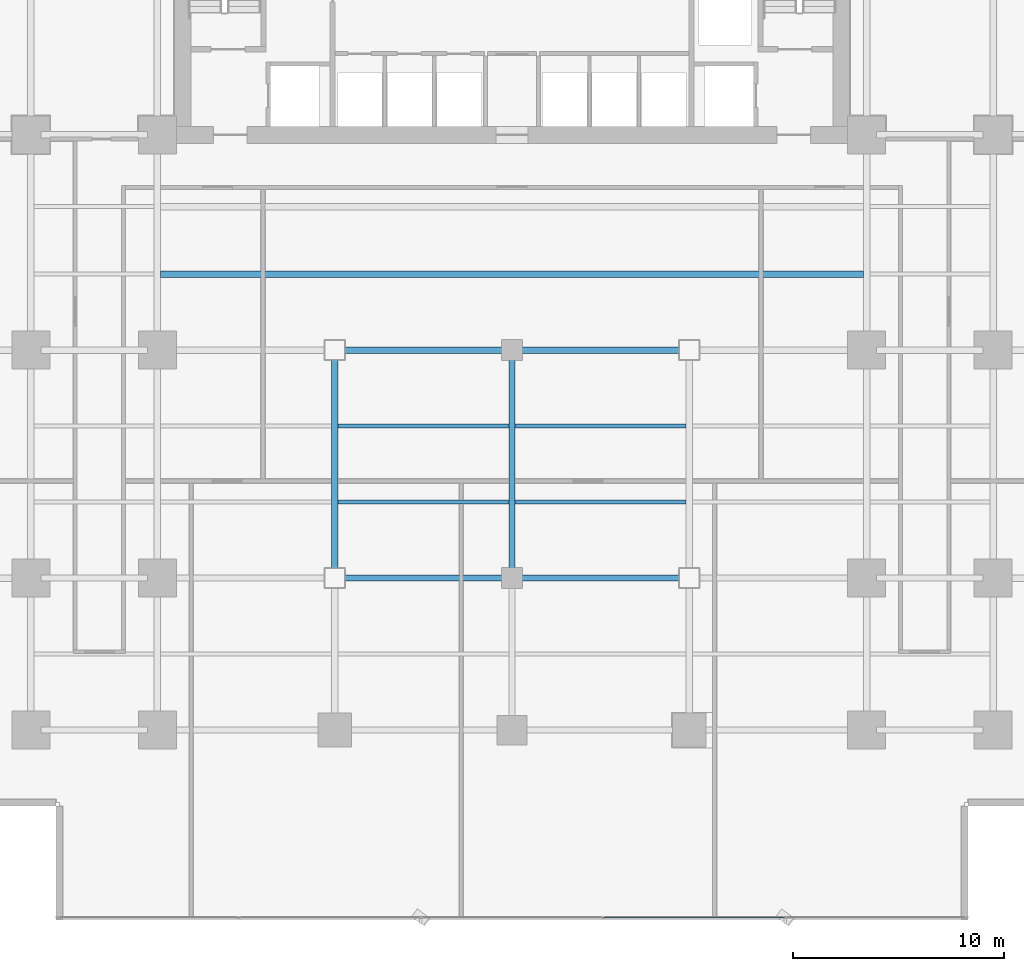
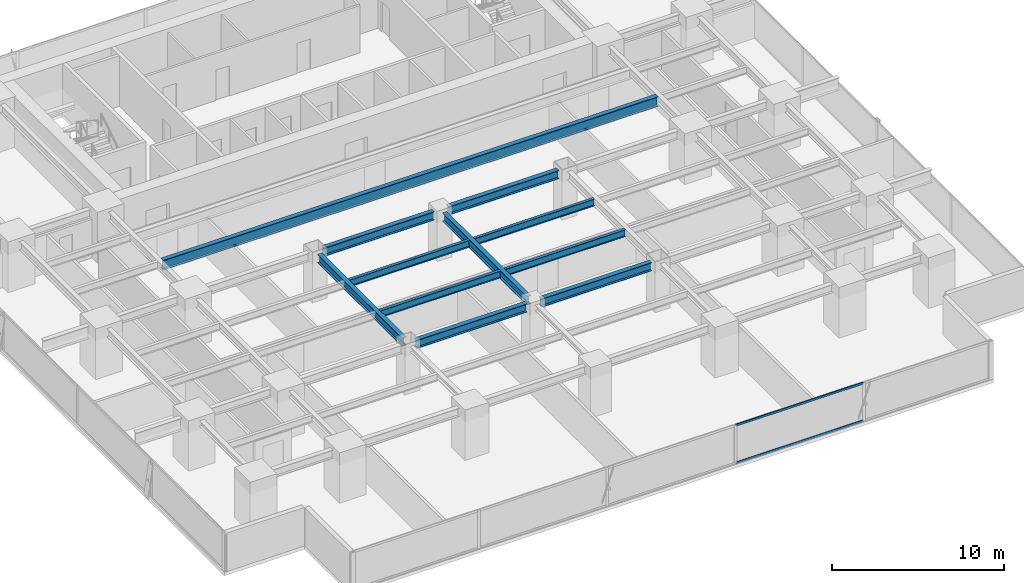
# One storey, part 10 of 33: 11 beams, 2 members, 1 element without a shape of its own.
"""IFC4 building model written with IfcOpenShell, lengths in metres."""

from ifc_helpers import new_model, si_unit, direction, frame, origin, origin_2d, place, context, subcontext, project, spatial, hollow_rectangle, i_section, extrude, source, transform, mapped, material, layer, layer_set, material_profile, profile_set, type_object, element, aggregate, save


model = new_model("IFC4")

# Units and contexts
model_context = context("Model", 3, precision=1e-05, world=origin(), true_north=direction((0.0, 1.0)))
body_context = subcontext(model_context, "Body", "Model", "MODEL_VIEW")
ifc_project = project(units=[si_unit("LENGTHUNIT", "METRE"), si_unit("AREAUNIT", "SQUARE_METRE"), si_unit("VOLUMEUNIT", "CUBIC_METRE"), si_unit("PLANEANGLEUNIT", "RADIAN"), si_unit("MASSUNIT", "GRAM", prefix="KILO")], contexts=[model_context])

# Site, building, storey
site_placement = place(None, origin())
site = spatial("IfcSite", under=ifc_project, at=site_placement, CompositionType="ELEMENT")
building_placement = place(site_placement, origin())
building = spatial("IfcBuilding", under=site, at=building_placement, Name="Sumidabori Civic Tower", CompositionType="ELEMENT")
storey_placement = place(building_placement, frame((0.0, 0.0, 63.199951171875)))
storey = spatial("IfcBuildingStorey", under=building, at=storey_placement, Name="L16", CompositionType="ELEMENT", Elevation=63.199951171875)

# Beams
ifc_material_1 = material(Name="Steel SN490", Category="steel")
ifc_material_profile_1 = material_profile(ifc_material_1, i_section(OverallWidth=0.300048828125, OverallDepth=0.60009765625, WebThickness=0.015380859375, FlangeThickness=0.030029296875, at=origin_2d()), Name="HE 600 B")
ifc_profile_set_1 = profile_set([ifc_material_profile_1], Name="Steel SN490")
beam_type_1 = type_object("IfcBeamType", Name="BM-GIRD-600", PredefinedType="BEAM", material=ifc_profile_set_1)
shared_shape_1 = source(origin(), body_context, "Body", "SweptSolid", [
    extrude(i_section(OverallWidth=0.300048828125, OverallDepth=0.60009765625, WebThickness=0.015380859375, FlangeThickness=0.030029296875, at=origin_2d()), origin(), (0.0, 0.0, 1.0), 7.43994140625),
])
for number, where, z_axis, x_axis, name in (
    (1, (-7.919921875, -10.800048828125, 3.06005859375), (1.0, 0.0, 0.0), (0.0, 1.0, 0.0), "Primary Girder L16 GX-09"),
    (2, (0.47998046875, -10.800048828125, 3.06005859375), (1.0, 0.0, 0.0), (0.0, 1.0, 0.0), "Primary Girder L16 GX-10"),
    (3, (-7.919921875, 0.0, 3.06005859375), (1.0, 0.0, 0.0), (0.0, 1.0, 0.0), "Primary Girder L16 GX-15"),
    (4, (0.47998046875, 0.0, 3.06005859375), (1.0, 0.0, 0.0), (0.0, 1.0, 0.0), "Primary Girder L16 GX-16"),
):
    element("IfcBeam", number, at=place(storey_placement, frame(where, z_axis=z_axis, x_axis=x_axis)), inside=storey, type_object=beam_type_1, Name=name, PredefinedType="BEAM", context=body_context, shape_type="MappedRepresentation", body=[
        mapped(shared_shape_1, transform((0.0, 0.0, 0.0), x_axis=(1.0, 0.0, 0.0), y_axis=(0.0, 1.0, 0.0), z_axis=(0.0, 0.0, 1.0), scale=1.0)),
    ])
shared_shape_2 = source(origin(), body_context, "Body", "SweptSolid", [
    extrude(i_section(OverallWidth=0.300048828125, OverallDepth=0.60009765625, WebThickness=0.015380859375, FlangeThickness=0.030029296875, at=origin_2d()), origin(), (0.0, 0.0, 1.0), 9.840087890625),
])
for number, where, z_axis, x_axis, name in (
    (5, (-8.39990234375, -10.320068359375, 3.06005859375), (0.0, 1.0, 0.0), (-1.0, 0.0, 0.0), "Primary Girder L16 GY-30"),
    (6, (0.0, -10.320068359375, 3.06005859375), (0.0, 1.0, 0.0), (-1.0, 0.0, 0.0), "Primary Girder L16 GY-32"),
):
    element("IfcBeam", number, at=place(storey_placement, frame(where, z_axis=z_axis, x_axis=x_axis)), inside=storey, type_object=beam_type_1, Name=name, PredefinedType="BEAM", context=body_context, shape_type="MappedRepresentation", body=[
        mapped(shared_shape_2, transform((0.0, 0.0, 0.0), x_axis=(1.0, 0.0, 0.0), y_axis=(0.0, 1.0, 0.0), z_axis=(0.0, 0.0, 1.0), scale=1.0)),
    ])
ifc_material_profile_2 = material_profile(ifc_material_1, i_section(OverallWidth=0.300048828125, OverallDepth=0.699951171875, WebThickness=0.01708984375, FlangeThickness=0.031982421875, at=origin_2d()), Name="HE 700 B")
ifc_profile_set_2 = profile_set([ifc_material_profile_2], Name="Steel SN490")
beam_type_2 = type_object("IfcBeamType", Name="BM-GIRD-700", PredefinedType="BEAM", material=ifc_profile_set_2)
shared_shape_3 = source(origin(), body_context, "Body", "SweptSolid", [
    extrude(i_section(OverallWidth=0.300048828125, OverallDepth=0.699951171875, WebThickness=0.01708984375, FlangeThickness=0.031982421875, at=origin_2d()), origin(), (0.0, 0.0, 1.0), 33.2998046875),
])
beam_placement = place(storey_placement, frame((-16.64990234375, 3.60009765625, 3.010009765625), z_axis=(1.0, 0.0, 0.0), x_axis=(0.0, 1.0, 0.0)))
element("IfcBeam", 7, at=beam_placement, inside=storey, type_object=beam_type_2, Name="North Bay Floor Beam L16 JSTN-59", PredefinedType="BEAM", context=body_context, shape_type="MappedRepresentation", body=[
    mapped(shared_shape_3, transform((0.0, 0.0, 0.0), x_axis=(1.0, 0.0, 0.0), y_axis=(0.0, 1.0, 0.0), z_axis=(0.0, 0.0, 1.0), scale=1.0)),
])
ifc_material_profile_3 = material_profile(ifc_material_1, i_section(OverallWidth=0.199951171875, OverallDepth=0.5, WebThickness=0.01025390625, FlangeThickness=0.01611328125, at=origin_2d()), Name="IPE 500")
ifc_profile_set_3 = profile_set([ifc_material_profile_3], Name="Steel SN490")
beam_type_3 = type_object("IfcBeamType", Name="BM-JST-500", PredefinedType="JOIST", material=ifc_profile_set_3)
shared_shape_4 = source(origin(), body_context, "Body", "SweptSolid", [
    extrude(i_section(OverallWidth=0.199951171875, OverallDepth=0.5, WebThickness=0.01025390625, FlangeThickness=0.01611328125, at=origin_2d()), origin(), (0.0, 0.0, 1.0), 8.10009765625),
])
for number, where, z_axis, x_axis, name in (
    (8, (-8.25, -7.199951171875, 3.110107421875), (1.0, 0.0, 0.0), (0.0, 1.0, 0.0), "South Bay Floor Joist L16 JSTS-66"),
    (9, (0.14990234375, -7.199951171875, 3.110107421875), (1.0, 0.0, 0.0), (0.0, 1.0, 0.0), "South Bay Floor Joist L16 JSTS-67"),
    (10, (-8.25, -3.60009765625, 3.110107421875), (1.0, 0.0, 0.0), (0.0, 1.0, 0.0), "South Bay Floor Joist L16 JSTS-70"),
    (11, (0.14990234375, -3.60009765625, 3.110107421875), (1.0, 0.0, 0.0), (0.0, 1.0, 0.0), "South Bay Floor Joist L16 JSTS-71"),
):
    element("IfcBeam", number, at=place(storey_placement, frame(where, z_axis=z_axis, x_axis=x_axis)), inside=storey, type_object=beam_type_3, Name=name, PredefinedType="JOIST", context=body_context, shape_type="MappedRepresentation", body=[
        mapped(shared_shape_4, transform((0.0, 0.0, 0.0), x_axis=(1.0, 0.0, 0.0), y_axis=(0.0, 1.0, 0.0), z_axis=(0.0, 0.0, 1.0), scale=1.0)),
    ])

# Curtain wall, members
ifc_material_2 = material(Name="Anodised Bronze Aluminium AW-6063-T6", Category="aluminium")
ifc_layer = layer(ifc_material_2, 0.179931640625, Name="Anodised Bronze Aluminium AW-6063-T6")
ifc_layer_set = layer_set([ifc_layer], Name="Anodised Bronze Aluminium AW-6063-T6")
curtain_wall_type = type_object("IfcCurtainWallType", Name="CW-SYS-2", PredefinedType="NOTDEFINED", material=ifc_layer_set)
curtain_wall_placement = place(storey_placement, origin())
curtain_wall = element("IfcCurtainWall", 12, at=curtain_wall_placement, inside=storey, type_object=curtain_wall_type, Name="Curtain Wall CW:L16:R01", PredefinedType="NOTDEFINED")
ifc_material_profile_4 = material_profile(ifc_material_2, hollow_rectangle(XDim=0.06494140625, YDim=0.14990234375, WallThickness=0.0048828125, at=origin_2d()), Name="ALU TRANSOM 150x65")
ifc_profile_set_4 = profile_set([ifc_material_profile_4], Name="Anodised Bronze Aluminium AW-6063-T6")
member_type = type_object("IfcMemberType", Name="CW-TRN-150", PredefinedType="USERDEFINED", material=ifc_profile_set_4)
shared_shape_5 = source(origin(), body_context, "Body", "SweptSolid", [
    extrude(hollow_rectangle(XDim=0.06494140625, YDim=0.14990234375, WallThickness=0.0048828125, at=origin_2d()), origin(), (0.0, 0.0, 1.0), 8.557861328125),
])
member_1_placement = place(storey_placement, frame((4.34912109375, -26.8798828125, 0.032470703125), z_axis=(1.0, 0.0, 0.0), x_axis=(0.0, 1.0, 0.0)))
member_1 = element("IfcMember", 13, at=member_1_placement, type_object=member_type, Name="CW-2 transom 4.1", ObjectType="TRANSOM", PredefinedType="USERDEFINED", context=body_context, shape_type="MappedRepresentation", body=[
    mapped(shared_shape_5, transform((0.0, 0.0, 0.0), x_axis=(1.0, 0.0, 0.0), y_axis=(0.0, 1.0, 0.0), z_axis=(0.0, 0.0, 1.0), scale=1.0)),
])
member_2_placement = place(storey_placement, frame((4.34912109375, -26.8798828125, 2.70751953125), z_axis=(1.0, 0.0, 0.0), x_axis=(0.0, 1.0, 0.0)))
member_2 = element("IfcMember", 14, at=member_2_placement, type_object=member_type, Name="CW-2 transom 4.2", ObjectType="TRANSOM", PredefinedType="USERDEFINED", context=body_context, shape_type="MappedRepresentation", body=[
    mapped(shared_shape_5, transform((0.0, 0.0, 0.0), x_axis=(1.0, 0.0, 0.0), y_axis=(0.0, 1.0, 0.0), z_axis=(0.0, 0.0, 1.0), scale=1.0)),
])
aggregate(curtain_wall, [member_1, member_2])

save(model, "model.ifc")
